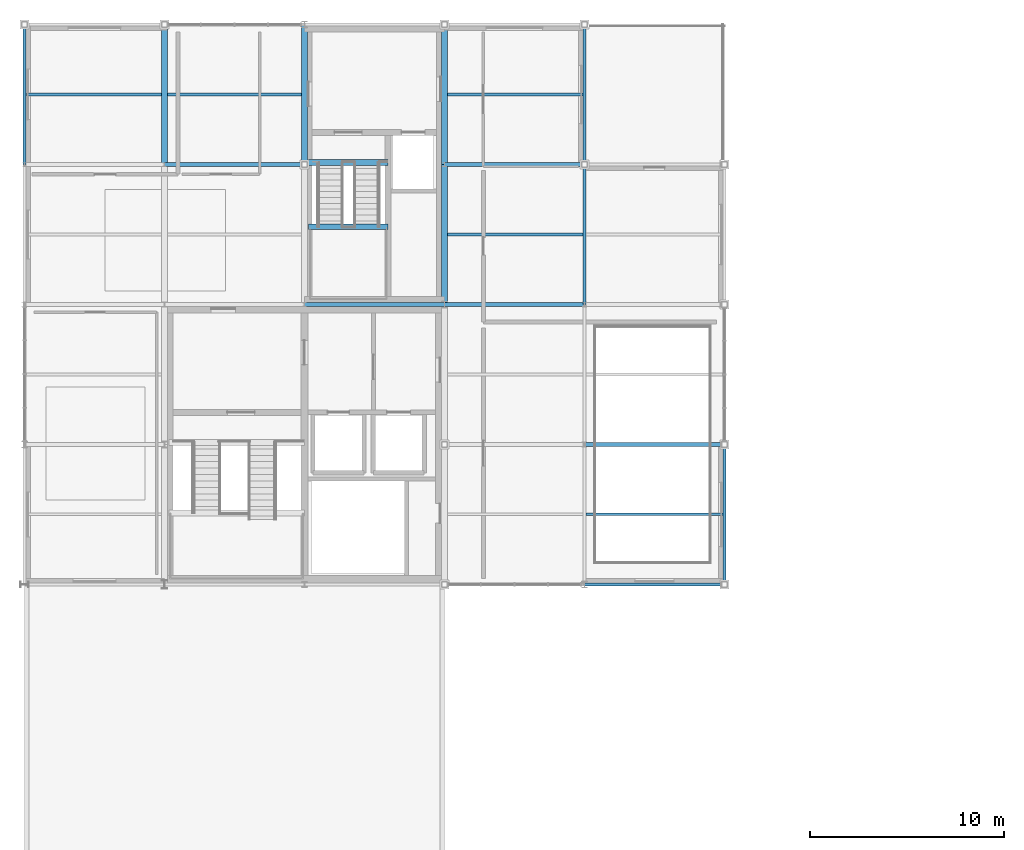
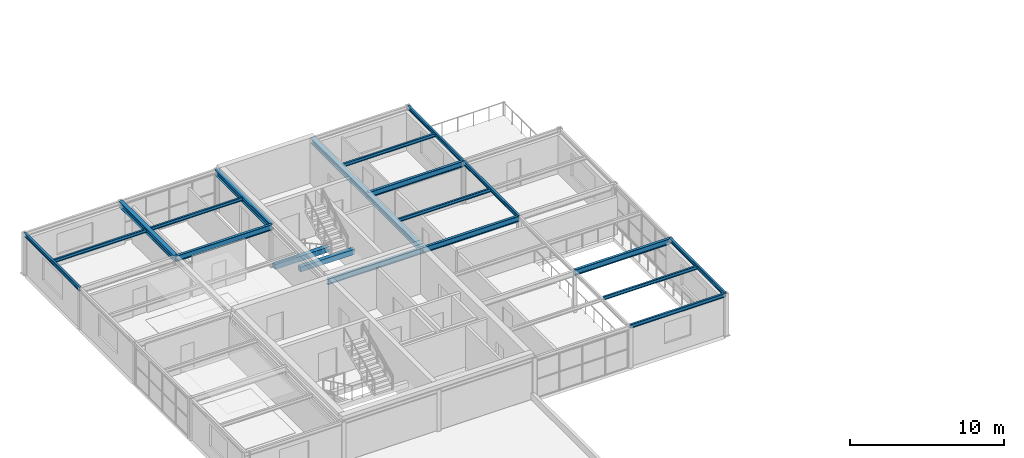
# One storey, part 8 of 22: 21 beams.
"""IFC4 building model written with IfcOpenShell, lengths in metres."""

from ifc_helpers import new_model, si_unit, direction, frame, origin, origin_2d, place, context, subcontext, project, spatial, rectangle, i_section, extrude, material, material_profile, profile_set, type_object, element, save


model = new_model("IFC4")

# Units and contexts
model_context = context("Model", 3, precision=1e-05, world=origin(), true_north=direction((0.0, 1.0)))
body_context = subcontext(model_context, "Body", "Model", "MODEL_VIEW")
ifc_project = project(units=[si_unit("LENGTHUNIT", "METRE"), si_unit("AREAUNIT", "SQUARE_METRE"), si_unit("VOLUMEUNIT", "CUBIC_METRE"), si_unit("PLANEANGLEUNIT", "RADIAN"), si_unit("MASSUNIT", "GRAM", prefix="KILO")], contexts=[model_context])

# Site, building, storey
site_placement = place(None, origin())
site = spatial("IfcSite", under=ifc_project, at=site_placement, CompositionType="ELEMENT")
building_placement = place(site_placement, origin())
building = spatial("IfcBuilding", under=site, at=building_placement, Name="Leyfeld Transit Interchange", CompositionType="ELEMENT")
storey_placement = place(building_placement, frame((0.0, 0.0, 18.0)))
storey = spatial("IfcBuildingStorey", under=building, at=storey_placement, Name="L04", CompositionType="ELEMENT", Elevation=18.0)

# Beams
ifc_material_1 = material(Name="Concrete C35/45", Category="concrete")
ifc_material_profile_1 = material_profile(ifc_material_1, rectangle(XDim=0.300048828125, YDim=0.39990234375, at=origin_2d()), Name="RC 400x300")
ifc_profile_set_1 = profile_set([ifc_material_profile_1], Name="Concrete C35/45")
beam_type_1 = type_object("IfcBeamType", Name="BM-RC-400x300", PredefinedType="LINTEL", material=ifc_profile_set_1)
for number, where, z_axis, x_axis, name in (
    (1, (14.60009765625, 115.300048828125, -0.199951171875), (1.0, 0.0, 0.0), (0.0, 1.0, 0.0), "Core K2 Floor Landing Corbel L04"),
    (2, (14.60009765625, 112.0, 1.60009765625), (1.0, 0.0, 0.0), (0.0, 1.0, 0.0), "Stair ST-02 L04 Half-Landing Corbel"),
):
    element("IfcBeam", number, at=place(storey_placement, frame(where, z_axis=z_axis, x_axis=x_axis)), inside=storey, type_object=beam_type_1, Name=name, PredefinedType="LINTEL", context=body_context, shape_type="SweptSolid", body=[
        extrude(rectangle(XDim=0.300048828125, YDim=0.39990234375, at=origin_2d()), origin(), (0.0, 0.0, 1.0), 4.099853515625),
    ])
ifc_material_2 = material(Name="Steel S355J2", Category="steel")
ifc_material_profile_2 = material_profile(ifc_material_2, i_section(OverallWidth=0.300048828125, OverallDepth=0.449951171875, WebThickness=0.013916015625, FlangeThickness=0.02587890625, FilletRadius=0.027099609375, at=origin_2d()), Name="HEB 450")
ifc_profile_set_2 = profile_set([ifc_material_profile_2], Name="Steel S355J2")
beam_type_2 = type_object("IfcBeamType", Name="BM-STL-HEB450", PredefinedType="JOIST", material=ifc_profile_set_2)
for number, where, z_axis, x_axis, name in (
    (3, (7.199951171875, 115.199951171875, 3.074951171875), (0.0, 1.0, 0.0), (-1.0, 0.0, 0.0), "Beam BM-L04-0072_1152-0072_1224"),
    (4, (14.39990234375, 115.199951171875, 3.074951171875), (0.0, 1.0, 0.0), (-1.0, 0.0, 0.0), "Beam BM-L04-0144_1152-0144_1224"),
    (5, (21.60009765625, 108.0, 3.074951171875), (0.0, 1.0, 0.0), (-1.0, 0.0, 0.0), "Beam BM-L04-0216_1080-0216_1152"),
    (6, (21.60009765625, 115.199951171875, 3.074951171875), (0.0, 1.0, 0.0), (-1.0, 0.0, 0.0), "Beam BM-L04-0216_1152-0216_1224"),
):
    element("IfcBeam", number, at=place(storey_placement, frame(where, z_axis=z_axis, x_axis=x_axis)), inside=storey, type_object=beam_type_2, Name=name, PredefinedType="JOIST", context=body_context, shape_type="SweptSolid", body=[
        extrude(i_section(OverallWidth=0.300048828125, OverallDepth=0.449951171875, WebThickness=0.013916015625, FlangeThickness=0.02587890625, FilletRadius=0.027099609375, at=origin_2d()), origin(), (0.0, 0.0, 1.0), 7.199951171875),
    ])
ifc_material_profile_3 = material_profile(ifc_material_2, i_section(OverallWidth=0.135009765625, OverallDepth=0.27001953125, WebThickness=0.006591796875, FlangeThickness=0.01025390625, FilletRadius=0.014892578125, at=origin_2d()), Name="IPE 270")
ifc_profile_set_3 = profile_set([ifc_material_profile_3], Name="Steel S355J2")
beam_type_3 = type_object("IfcBeamType", Name="BM-STL-IPE270", PredefinedType="BEAM", material=ifc_profile_set_3)
for number, where, z_axis, x_axis, name in (
    (7, (21.7470703125, 111.60009765625, 3.1650390625), (1.0, 0.0, 0.0), (0.0, 1.0, 0.0), "Beam BM-L04-0217_1116-0287_1116"),
    (8, (0.072021484375, 118.800048828125, 3.1650390625), (1.0, 0.0, 0.0), (0.0, 1.0, 0.0), "Beam BM-L04-0001_1188-0071_1188"),
):
    element("IfcBeam", number, at=place(storey_placement, frame(where, z_axis=z_axis, x_axis=x_axis)), inside=storey, type_object=beam_type_3, Name=name, PredefinedType="BEAM", context=body_context, shape_type="SweptSolid", body=[
        extrude(i_section(OverallWidth=0.135009765625, OverallDepth=0.27001953125, WebThickness=0.006591796875, FlangeThickness=0.01025390625, FilletRadius=0.014892578125, at=origin_2d()), origin(), (0.0, 0.0, 1.0), 6.98095703125),
    ])
beam_1_placement = place(storey_placement, frame((7.346923828125, 118.800048828125, 3.1650390625), z_axis=(1.0, 0.0, 0.0), x_axis=(0.0, 1.0, 0.0)))
element("IfcBeam", 9, at=beam_1_placement, inside=storey, type_object=beam_type_3, Name="Beam BM-L04-0073_1188-0143_1188", PredefinedType="BEAM", context=body_context, shape_type="SweptSolid", body=[
    extrude(i_section(OverallWidth=0.135009765625, OverallDepth=0.27001953125, WebThickness=0.006591796875, FlangeThickness=0.01025390625, FilletRadius=0.014892578125, at=origin_2d()), origin(), (0.0, 0.0, 1.0), 6.906005859375),
])
beam_2_placement = place(storey_placement, frame((21.7470703125, 118.800048828125, 3.1650390625), z_axis=(1.0, 0.0, 0.0), x_axis=(0.0, 1.0, 0.0)))
element("IfcBeam", 10, at=beam_2_placement, inside=storey, type_object=beam_type_3, Name="Beam BM-L04-0217_1188-0287_1188", PredefinedType="BEAM", context=body_context, shape_type="SweptSolid", body=[
    extrude(i_section(OverallWidth=0.135009765625, OverallDepth=0.27001953125, WebThickness=0.006591796875, FlangeThickness=0.01025390625, FilletRadius=0.014892578125, at=origin_2d()), origin(), (0.0, 0.0, 1.0), 6.98095703125),
])
beam_3_placement = place(storey_placement, frame((28.8720703125, 97.199951171875, 3.22509765625), z_axis=(1.0, 0.0, 0.0), x_axis=(0.0, 1.0, 0.0)))
element("IfcBeam", 11, at=beam_3_placement, inside=storey, type_object=beam_type_3, Name="Beam BM-L04-0289_0972-0359_0972", PredefinedType="BEAM", context=body_context, shape_type="SweptSolid", body=[
    extrude(i_section(OverallWidth=0.135009765625, OverallDepth=0.27001953125, WebThickness=0.006591796875, FlangeThickness=0.01025390625, FilletRadius=0.014892578125, at=origin_2d()), origin(), (0.0, 0.0, 1.0), 7.055908203125),
])
ifc_material_profile_4 = material_profile(ifc_material_2, i_section(OverallWidth=0.14990234375, OverallDepth=0.300048828125, WebThickness=0.007080078125, FlangeThickness=0.0107421875, FilletRadius=0.014892578125, at=origin_2d()), Name="IPE 300")
ifc_profile_set_4 = profile_set([ifc_material_profile_4], Name="Steel S355J2")
beam_type_4 = type_object("IfcBeamType", Name="BM-STL-IPE300", PredefinedType="SPANDREL", material=ifc_profile_set_4)
for number, where, z_axis, x_axis, name in (
    (12, (0.0, 115.199951171875, 3.14990234375), (0.0, 1.0, 0.0), (-1.0, 0.0, 0.0), "Beam BM-L04-0000_1152-0000_1224"),
    (13, (28.800048828125, 108.0, 3.14990234375), (0.0, 1.0, 0.0), (-1.0, 0.0, 0.0), "Beam BM-L04-0288_1080-0288_1152"),
    (14, (28.800048828125, 115.199951171875, 3.14990234375), (0.0, 1.0, 0.0), (-1.0, 0.0, 0.0), "Beam BM-L04-0288_1152-0288_1224"),
    (15, (36.0, 93.60009765625, 3.2099609375), (0.0, 1.0, 0.0), (-1.0, 0.0, 0.0), "Beam BM-L04-0360_0936-0360_1008"),
    (16, (28.800048828125, 93.60009765625, 3.2099609375), (1.0, 0.0, 0.0), (0.0, 1.0, 0.0), "Beam BM-L04-0288_0936-0360_0936"),
):
    element("IfcBeam", number, at=place(storey_placement, frame(where, z_axis=z_axis, x_axis=x_axis)), inside=storey, type_object=beam_type_4, Name=name, PredefinedType="SPANDREL", context=body_context, shape_type="SweptSolid", body=[
        extrude(i_section(OverallWidth=0.14990234375, OverallDepth=0.300048828125, WebThickness=0.007080078125, FlangeThickness=0.0107421875, FilletRadius=0.014892578125, at=origin_2d()), origin(), (0.0, 0.0, 1.0), 7.199951171875),
    ])
ifc_material_profile_5 = material_profile(ifc_material_2, i_section(OverallWidth=0.18994140625, OverallDepth=0.449951171875, WebThickness=0.009521484375, FlangeThickness=0.0146484375, FilletRadius=0.02099609375, at=origin_2d()), Name="IPE 450")
ifc_profile_set_5 = profile_set([ifc_material_profile_5], Name="Steel S355J2")
beam_type_5 = type_object("IfcBeamType", Name="BM-STL-IPE450", PredefinedType="BEAM", material=ifc_profile_set_5)
beam_4_placement = place(storey_placement, frame((14.39990234375, 108.0, 3.074951171875), z_axis=(1.0, 0.0, 0.0), x_axis=(0.0, 1.0, 0.0)))
element("IfcBeam", 17, at=beam_4_placement, inside=storey, type_object=beam_type_5, Name="Beam BM-L04-0144_1080-0216_1080", PredefinedType="BEAM", context=body_context, shape_type="SweptSolid", body=[
    extrude(i_section(OverallWidth=0.18994140625, OverallDepth=0.449951171875, WebThickness=0.009521484375, FlangeThickness=0.0146484375, FilletRadius=0.02099609375, at=origin_2d()), origin(), (0.0, 0.0, 1.0), 7.2001953125),
])
for number, where, z_axis, x_axis, name in (
    (18, (21.60009765625, 108.0, 3.074951171875), (1.0, 0.0, 0.0), (0.0, 1.0, 0.0), "Beam BM-L04-0216_1080-0288_1080"),
    (19, (7.199951171875, 115.199951171875, 3.074951171875), (1.0, 0.0, 0.0), (0.0, 1.0, 0.0), "Beam BM-L04-0072_1152-0144_1152"),
    (20, (21.60009765625, 115.199951171875, 3.074951171875), (1.0, 0.0, 0.0), (0.0, 1.0, 0.0), "Beam BM-L04-0216_1152-0288_1152"),
    (21, (28.800048828125, 100.800048828125, 3.135009765625), (1.0, 0.0, 0.0), (0.0, 1.0, 0.0), "Beam BM-L04-0288_1008-0360_1008"),
):
    element("IfcBeam", number, at=place(storey_placement, frame(where, z_axis=z_axis, x_axis=x_axis)), inside=storey, type_object=beam_type_5, Name=name, PredefinedType="BEAM", context=body_context, shape_type="SweptSolid", body=[
        extrude(i_section(OverallWidth=0.18994140625, OverallDepth=0.449951171875, WebThickness=0.009521484375, FlangeThickness=0.0146484375, FilletRadius=0.02099609375, at=origin_2d()), origin(), (0.0, 0.0, 1.0), 7.199951171875),
    ])

save(model, "model.ifc")
